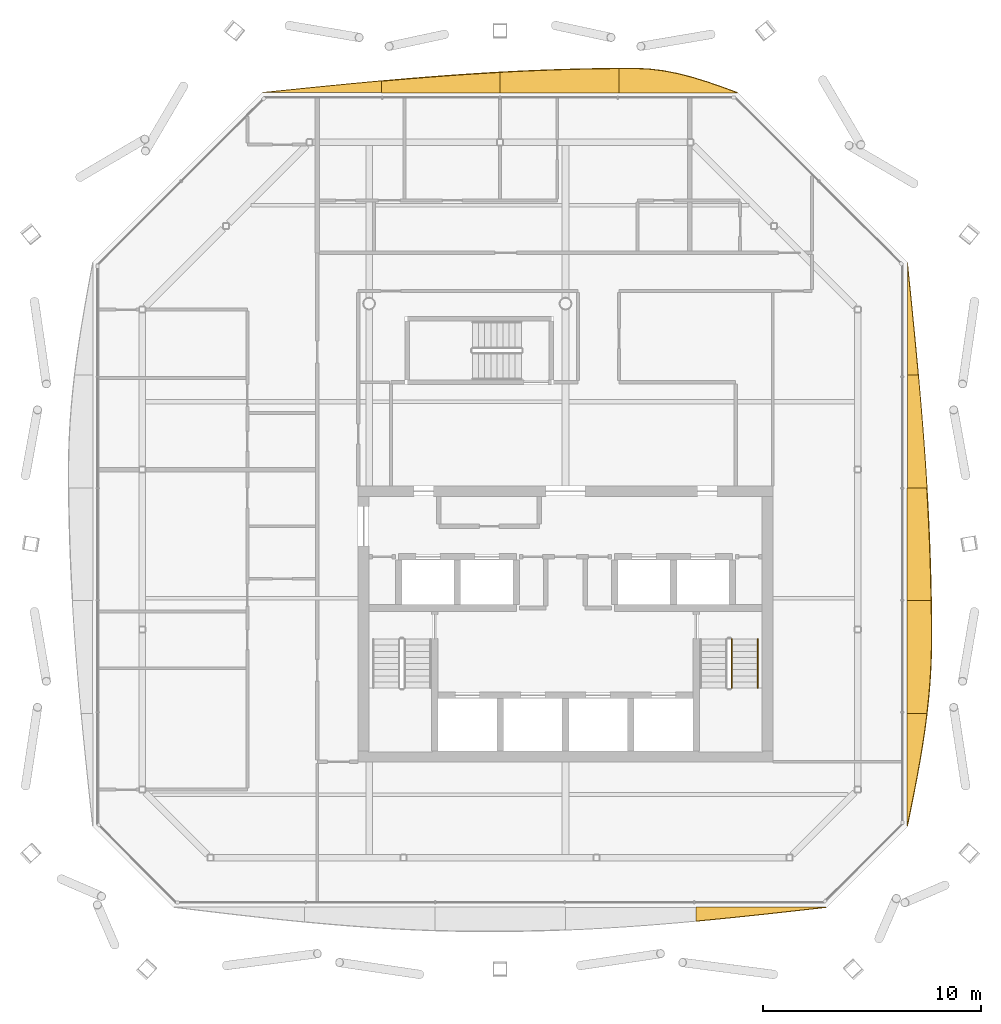
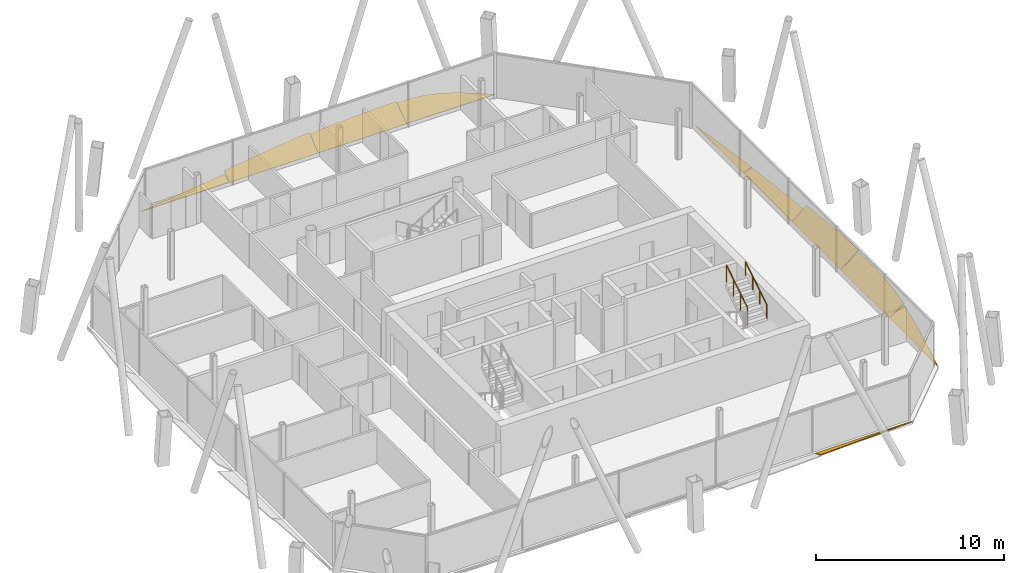
# One storey, part 17 of 17: 10 shading devices, 2 railings.
"""IFC4 building model written with IfcOpenShell, lengths in metres."""

from ifc_helpers import new_model, si_unit, direction, frame, origin, origin_2d, place, context, subcontext, project, spatial, polyline, circle, outline, extrude, material, layer, layer_set, type_object, element, save


model = new_model("IFC4")

# Units and contexts
model_context = context("Model", 3, precision=1e-05, world=origin(), true_north=direction((0.0, 1.0)))
body_context = subcontext(model_context, "Body", "Model", "MODEL_VIEW")
ifc_project = project(units=[si_unit("LENGTHUNIT", "METRE"), si_unit("AREAUNIT", "SQUARE_METRE"), si_unit("VOLUMEUNIT", "CUBIC_METRE"), si_unit("PLANEANGLEUNIT", "RADIAN"), si_unit("MASSUNIT", "GRAM", prefix="KILO")], contexts=[model_context])

# Site, building, storey
site_placement = place(None, origin())
site = spatial("IfcSite", under=ifc_project, at=site_placement, CompositionType="ELEMENT")
building_placement = place(site_placement, origin())
building = spatial("IfcBuilding", under=site, at=building_placement, Name="Tskaro Facet Tower", CompositionType="ELEMENT")
storey_placement = place(building_placement, frame((0.0, 0.0, 226.64990234375)))
storey = spatial("IfcBuildingStorey", under=building, at=storey_placement, Name="L58", CompositionType="ELEMENT", Elevation=226.64990234375)

# Shading devices
ifc_material_1 = material(Name="Bronze anodised aluminium 6063-T6", Category="aluminium")
ifc_layer = layer(ifc_material_1, 0.06005859375, Name="Bronze anodised aluminium 6063-T6")
ifc_layer_set = layer_set([ifc_layer], Name="Bronze anodised aluminium 6063-T6")
shading_device_type = type_object("IfcShadingDeviceType", Name="Bronze sun blade (FN1)", PredefinedType="USERDEFINED", material=ifc_layer_set)
shading_device_1_placement = place(storey_placement, frame((5.96875, -18.66162109375, 0.054443359375), z_axis=(-9.80393e-07, 0.422647091032, 0.906294343159), x_axis=(1.0, 4.1436e-07, 8.88525e-07)))
element("IfcShadingDevice", 1, at=shading_device_1_placement, inside=storey, type_object=shading_device_type, Name="Fin blade south 5", ObjectType="FIN", PredefinedType="USERDEFINED", context=body_context, shape_type="SweptSolid", body=[
    extrude(outline(polyline([(0.0, 0.0), (5.979248046872127, 0.0), (5.231933593771456, -0.09294866456202203), (4.484374999930021, -0.18557288053171228), (3.7370605467855484, -0.2768844095146204), (2.9897460938141984, -0.3666619882433736), (2.2421875000582836, -0.45447798280068097), (1.4948730468543658, -0.5395654180594652), (0.7475585937797693, -0.6214817674849807), (-7.430902449660355e-12, -0.7001238457522683), (0.0, 0.0)])), origin(), (0.0, 0.0, -1.0), 0.06005859375),
])
shading_device_2_placement = place(storey_placement, frame((15.656982421875, -14.947998046875, 0.052001953125), z_axis=(-0.500068163865, 7.27148e-07, 0.865986045782), x_axis=(3.63624e-07, 1.0, -6.297e-07)))
element("IfcShadingDevice", 2, at=shading_device_2_placement, inside=storey, type_object=shading_device_type, Name="Fin blade east 1", ObjectType="FIN", PredefinedType="USERDEFINED", context=body_context, shape_type="SweptSolid", body=[
    extrude(outline(polyline([(0.0, 0.0), (5.166259765623634, -2.734995147224159e-22), (5.166259765624689, -1.042829097012276), (4.428222656259124, -0.9320263652765394), (3.6901855468590035, -0.8040538253064372), (2.952148437543404, -0.6616361356168969), (2.214111328100116, -0.5071971969279977), (1.4760742188019507, -0.34333958080059807), (0.7380371093067779, -0.17315420661183129), (0.0, 0.0)])), origin(), (0.0, 0.0, -1.0), 0.06005859375),
])
shading_device_3_placement = place(storey_placement, frame((15.652587890625, -9.78173828125, 0.04931640625), z_axis=(-0.573541762944, 4.585545e-06, 0.819176321764), x_axis=(2.630001e-06, 0.999999999989, -3.75637e-06)))
element("IfcShadingDevice", 3, at=shading_device_3_placement, inside=storey, type_object=shading_device_type, Name="Fin blade east 2", ObjectType="FIN", PredefinedType="USERDEFINED", context=body_context, shape_type="SweptSolid", body=[
    extrude(outline(polyline([(0.0, 0.0), (5.166259765570684, 2.1879961177793273e-21), (5.166259765891857, -1.3413922654668102), (4.428222656162817, -1.352772716596447), (3.690185547073219, -1.3583929297390305), (3.4096679686761764, -1.3587329488026834), (2.95214843724545, -1.3539927680065884), (2.2141113277741806, -1.3262916907320368), (1.4760742185673046, -1.2744096655688875), (0.7380371097169283, -1.1992267248636286), (1.2308237367905365e-10, -1.1021029448708717), (0.0, 0.0)])), origin(), (0.0, 0.0, -1.0), 0.06005859375),
])
shading_device_4_placement = place(storey_placement, frame((15.6484375, -4.615478515625, 0.046142578125), z_axis=(-0.642755965678, -6.901853e-06, 0.76607099445), x_axis=(-4.436207e-06, 0.999999999976, 5.287309e-06)))
element("IfcShadingDevice", 4, at=shading_device_4_placement, inside=storey, type_object=shading_device_type, Name="Fin blade east 3", ObjectType="FIN", PredefinedType="USERDEFINED", context=body_context, shape_type="SweptSolid", body=[
    extrude(outline(polyline([(0.0, 0.0), (5.166015624876957, 2.1878927202027582e-21), (5.166015624690175, -1.1737195816941166), (4.427978516219527, -1.2286423907942337), (3.689941405507319, -1.2778749405298355), (2.9519042962183044, -1.3215440475359115), (2.213867187936905, -1.3589618080233212), (1.475830078497005, -1.390502280094832), (0.7377929687738736, -1.4156344828044887), (-6.07495286781873e-10, -1.4343584161522918), (0.0, 0.0)])), origin(), (0.0, 0.0, -1.0), 0.06005859375),
])
shading_device_5_placement = place(storey_placement, frame((15.66650390625, 0.550537109375, 0.056396484375), z_axis=(-0.342105649876, 5.76341e-06, 0.939661494523), x_axis=(1.971695e-06, 0.999999999983, -5.415655e-06)))
element("IfcShadingDevice", 5, at=shading_device_5_placement, inside=storey, type_object=shading_device_type, Name="Fin blade east 4", ObjectType="FIN", PredefinedType="USERDEFINED", context=body_context, shape_type="SweptSolid", body=[
    extrude(outline(polyline([(0.0, 0.0), (5.166259765539197, -1.0939980588896637e-21), (5.166259765771124, -0.5367685782295752), (4.4282226558420135, -0.606435481116495), (3.69018554638792, -0.6734742010090508), (2.9521484377682814, -0.7373423969309337), (2.2141113281795466, -0.7978941812247572), (1.476074218462526, -0.8548166224587778), (0.7380371099394004, -0.9080261987458171), (-1.5612378588477956e-10, -0.9569182033393584), (0.0, 0.0)])), origin(), (0.0, 0.0, -1.0), 0.06005859375),
])
shading_device_6_placement = place(storey_placement, frame((15.66162109375, 5.716796875, 0.054443359375), z_axis=(-0.422686757991, -2.5050627e-05, 0.906275843213), x_axis=(-1.0588568e-05, 0.999999999686, 2.2702778e-05)))
element("IfcShadingDevice", 6, at=shading_device_6_placement, inside=storey, type_object=shading_device_type, Name="Fin blade east 5", ObjectType="FIN", PredefinedType="USERDEFINED", context=body_context, shape_type="SweptSolid", body=[
    extrude(outline(polyline([(0.0, 0.0), (5.166259764003999, 8.75198447111731e-21), (4.428222656421939, -0.08246206409225719), (3.6901855458823083, -0.16459967442435303), (2.952148437555306, -0.24597031349457973), (2.2141113284833622, -0.326249527542776), (1.4760742182940052, -0.4048916040579265), (0.7380371069872348, -0.48189654304003127), (-3.2243202255855723e-09, -0.5564973732272213), (0.0, 0.0)])), origin(), (0.0, 0.0, -1.0), 0.06005859375),
])
shading_device_7_placement = place(storey_placement, frame((7.883056640625, 18.656982421875, 0.052001953125), z_axis=(-1.056094e-05, -0.500035341047, 0.866004998596), x_axis=(-0.999999999944, 5.280843e-06, -9.145827e-06)))
element("IfcShadingDevice", 7, at=shading_device_7_placement, inside=storey, type_object=shading_device_type, Name="Fin blade north 1", ObjectType="FIN", PredefinedType="USERDEFINED", context=body_context, shape_type="SweptSolid", body=[
    extrude(outline(polyline([(0.0, 0.0), (5.441650390321537, 0.0), (5.441650390748694, -1.2826942345784205), (4.761474609975701, -1.2852074722964795), (4.745117188101613, -1.2852074722964795), (4.081298827614788, -1.254259528854453), (3.4008789061055986, -1.160081674759117), (2.72070312499772, -1.0072775314433446), (2.0405273440397953, -0.8037203180036275), (1.360351561465991, -0.5593736372512703), (0.6801757807609548, -0.2870151047781897), (0.0, 0.0)])), origin(), (0.0, 0.0, -1.0), 0.06005859375),
])
shading_device_8_placement = place(storey_placement, frame((2.44140625, 18.652587890625, 0.04931640625), z_axis=(6.15087e-06, -0.573559316466, 0.819164031472), x_axis=(-0.999999999981, -3.527889e-06, 5.038571e-06)))
element("IfcShadingDevice", 8, at=shading_device_8_placement, inside=storey, type_object=shading_device_type, Name="Fin blade north 2", ObjectType="FIN", PredefinedType="USERDEFINED", context=body_context, shape_type="SweptSolid", body=[
    extrude(outline(polyline([(0.0, 0.0), (5.441406249897067, 0.0), (5.441406249185341, -1.1464646651376937), (4.761230468900624, -1.1900863834468414), (4.081054687635284, -1.2288278926980007), (3.4008789053893174, -1.2626891928911719), (2.720703125484269, -1.2917503510677284), (2.0405273442297767, -1.3155912798376728), (1.3603515628559613, -1.3343520083310039), (0.6801757809940037, -1.3476925161990978), (-9.87277209373819e-10, -1.355952823790579), (0.0, 0.0)])), origin(), (0.0, 0.0, -1.0), 0.06005859375),
])
shading_device_9_placement = place(storey_placement, frame((-3.0, 18.6484375, 0.046142578125), z_axis=(-5.120093e-06, -0.642744230817, 0.766080840203), x_axis=(-0.999999999987, 3.29091e-06, -3.922405e-06)))
element("IfcShadingDevice", 9, at=shading_device_9_placement, inside=storey, type_object=shading_device_type, Name="Fin blade north 3", ObjectType="FIN", PredefinedType="USERDEFINED", context=body_context, shape_type="SweptSolid", body=[
    extrude(outline(polyline([(0.0, 0.0), (5.441406249928676, 0.0), (5.441406249711191, -0.6992366924745486), (4.761230468693975, -0.7779158973850322), (4.0810546874574305, -0.8531254764850261), (3.4008789066508305, -0.9253964126630192), (2.7207031249756306, -0.9936667401420338), (2.040527344038721, -1.0583105218323299), (1.360351562387387, -1.1186097433902882), (0.680175780825072, -1.1747514362710394), (-3.39876447509994e-10, -1.2260476976078651), (0.0, 0.0)])), origin(), (0.0, 0.0, -1.0), 0.06005859375),
])
shading_device_10_placement = place(storey_placement, frame((-8.44140625, 18.66650390625, 0.056396484375), z_axis=(1.4466732e-05, -0.342319565702, 0.939583585813), x_axis=(-0.999999999895, -4.952245e-06, 1.3592704e-05)))
element("IfcShadingDevice", 10, at=shading_device_10_placement, inside=storey, type_object=shading_device_type, Name="Fin blade north 4", ObjectType="FIN", PredefinedType="USERDEFINED", context=body_context, shape_type="SweptSolid", body=[
    extrude(outline(polyline([(0.0, 0.0), (5.441650390055568, 0.0), (4.761474608217325, -0.07429739756035968), (4.081298827588127, -0.1483654045968153), (3.401123047267529, -0.2216616659488299), (2.7209472660464886, -0.29441557214030756), (2.040771485442652, -0.36562598696290327), (1.3603515624129556, -0.43575169146442494), (0.6801757797249943, -0.5037915494365276), (-1.1367195373930441e-09, -0.5700585255158442), (0.0, 0.0)])), origin(), (0.0, 0.0, -1.0), 0.06005859375),
])

# Railings
ifc_material_2 = material(Name="Stainless steel", Category="steel")
railing_type_1 = type_object("IfcRailingType", Name="RL-GUARD-1100", PredefinedType="GUARDRAIL", material=ifc_material_2)
railing_1_placement = place(storey_placement, frame((7.625, -8.614990234375, 1.75)))
element("IfcRailing", 11, at=railing_1_placement, inside=storey, type_object=railing_type_1, Name="L58 ST-2 stair guard 3", PredefinedType="GUARDRAIL", context=body_context, shape_type="SweptSolid", body=[
    extrude(circle(Radius=0.02392578125, at=origin_2d()), frame((0.0, 0.0, 1.076171875), z_axis=(0.0, 0.847972341737, 0.530040477369), x_axis=(-1.0, 0.0, 0.0)), (0.0, 0.0, 1.0), 2.6416015625),
    extrude(circle(Radius=0.02099609375, at=origin_2d()), origin(), (0.0, 0.0, 1.0), 1.052001953125),
    extrude(circle(Radius=0.02099609375, at=origin_2d()), frame((0.0, 0.74658203125, 0.466796875)), (0.0, 0.0, 1.0), 1.052001953125),
    extrude(circle(Radius=0.02099609375, at=origin_2d()), frame((0.0, 1.493408203125, 0.933349609375)), (0.0, 0.0, 1.0), 1.052001953125),
    extrude(circle(Radius=0.02099609375, at=origin_2d()), frame((0.0, 2.239990234375, 1.400146484375)), (0.0, 0.0, 1.0), 1.052001953125),
])
railing_type_2 = type_object("IfcRailingType", Name="RL-HANDRAIL-900", PredefinedType="HANDRAIL", material=ifc_material_2)
railing_2_placement = place(storey_placement, frame((8.800048828125, -8.614990234375, 1.75)))
element("IfcRailing", 12, at=railing_2_placement, inside=storey, type_object=railing_type_2, Name="L58 ST-2 stair handrail 2", PredefinedType="HANDRAIL", context=body_context, shape_type="SweptSolid", body=[
    extrude(circle(Radius=0.02392578125, at=origin_2d()), frame((0.0, 0.0, 0.8759765625), z_axis=(0.0, 0.847972341737, 0.530040477369), x_axis=(-1.0, 0.0, 0.0)), (0.0, 0.0, 1.0), 2.6416015625),
    extrude(circle(Radius=0.02099609375, at=origin_2d()), origin(), (0.0, 0.0, 1.0), 0.851806640625),
    extrude(circle(Radius=0.02099609375, at=origin_2d()), frame((0.0, 0.74658203125, 0.466796875)), (0.0, 0.0, 1.0), 0.851806640625),
    extrude(circle(Radius=0.02099609375, at=origin_2d()), frame((0.0, 1.493408203125, 0.933349609375)), (0.0, 0.0, 1.0), 0.851806640625),
    extrude(circle(Radius=0.02099609375, at=origin_2d()), frame((0.0, 2.239990234375, 1.400146484375)), (0.0, 0.0, 1.0), 0.851806640625),
])

save(model, "model.ifc")
